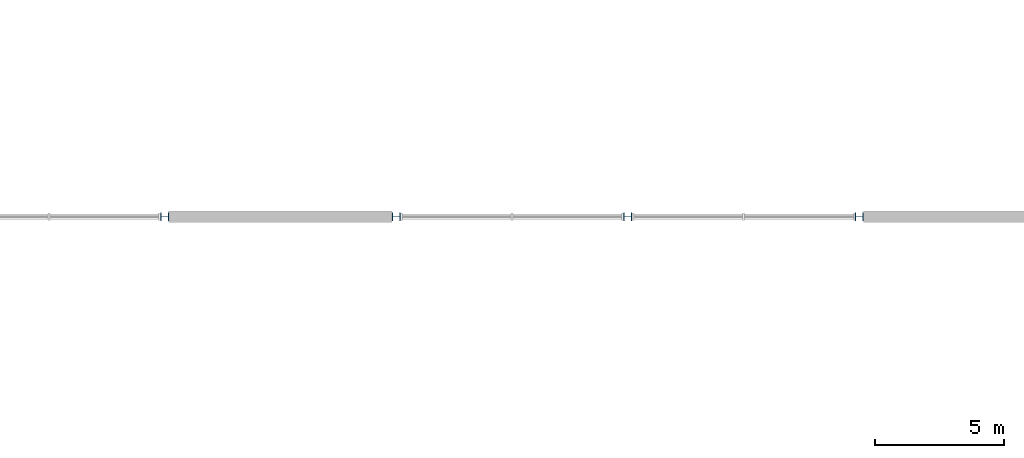
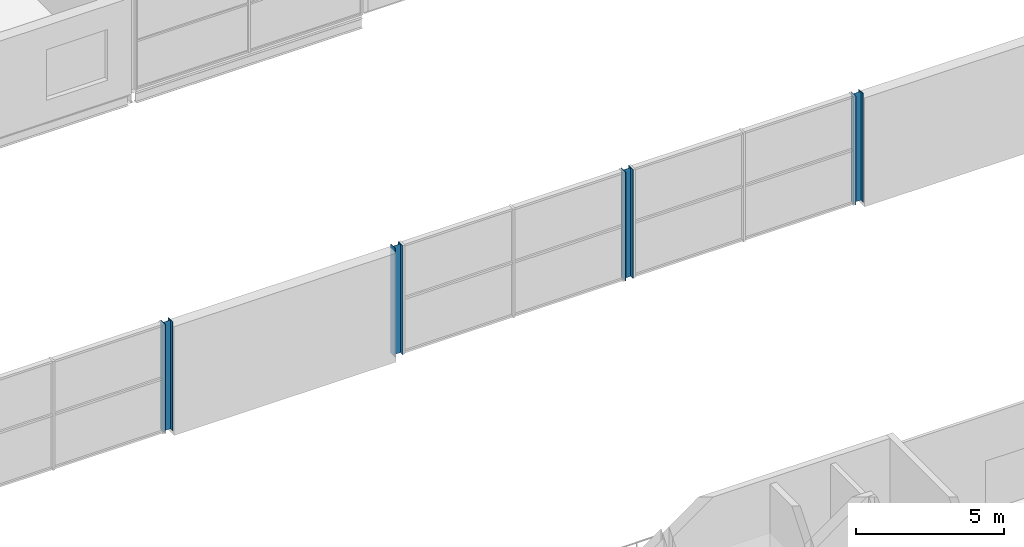
# One storey, part 4 of 97: 4 columns.
"""IFC4 building model written with IfcOpenShell, lengths in metres."""

from ifc_helpers import new_model, si_unit, direction, frame, origin, origin_2d, place, context, subcontext, project, spatial, i_section, extrude, material, material_profile, profile_set, type_object, element, save


model = new_model("IFC4")

# Units and contexts
model_context = context("Model", 3, precision=1e-05, world=origin(), true_north=direction((0.0, 1.0)))
body_context = subcontext(model_context, "Body", "Model", "MODEL_VIEW")
ifc_project = project(units=[si_unit("LENGTHUNIT", "METRE"), si_unit("AREAUNIT", "SQUARE_METRE"), si_unit("VOLUMEUNIT", "CUBIC_METRE"), si_unit("PLANEANGLEUNIT", "RADIAN"), si_unit("MASSUNIT", "GRAM", prefix="KILO")], contexts=[model_context])

# Site, building, storey
site_placement = place(None, origin())
site = spatial("IfcSite", under=ifc_project, at=site_placement, CompositionType="ELEMENT")
building_placement = place(site_placement, origin())
building = spatial("IfcBuilding", under=site, at=building_placement, Name="Corbel Yard City Hall", CompositionType="ELEMENT")
storey_placement = place(building_placement, frame((0.0, 0.0, 6.0)))
storey = spatial("IfcBuildingStorey", under=building, at=storey_placement, Name="L01", CompositionType="ELEMENT", Elevation=6.0)

# Columns
ifc_material = material(Name="Steel Grade 300 (300 MPa yield)", Category="steel")
ifc_material_profile = material_profile(ifc_material, i_section(OverallWidth=0.306884765625, OverallDepth=0.31494140625, WebThickness=0.011962890625, FlangeThickness=0.018798828125, at=origin_2d()), Name="310UC118")
ifc_profile_set = profile_set([ifc_material_profile], Name="Steel Grade 300 (300 MPa yield)")
column_type = type_object("IfcColumnType", Name="Column 310UC118", PredefinedType="COLUMN", material=ifc_profile_set)
for number, where, z_axis, x_axis, name in (
    (1, (36.0, 27.0, 0.0), (0.0, 0.0, 1.0), (0.0, 1.0, 0.0), "Column 310UC118 D/5 L01"),
    (2, (45.0, 27.0, 0.0), (0.0, 0.0, 1.0), (0.0, 1.0, 0.0), "Column 310UC118 D/6 L01"),
    (3, (54.0, 27.0, 0.0), (0.0, 0.0, 1.0), (0.0, 1.0, 0.0), "Column 310UC118 D/7 L01"),
    (4, (63.0, 27.0, 0.0), (0.0, 0.0, 1.0), (0.0, 1.0, 0.0), "Column 310UC118 D/8 L01"),
):
    element("IfcColumn", number, at=place(storey_placement, frame(where, z_axis=z_axis, x_axis=x_axis)), inside=storey, type_object=column_type, Name=name, PredefinedType="COLUMN", context=body_context, shape_type="SweptSolid", body=[
        extrude(i_section(OverallWidth=0.306884765625, OverallDepth=0.31494140625, WebThickness=0.011962890625, FlangeThickness=0.018798828125, at=origin_2d()), origin(), (0.0, 0.0, 1.0), 4.5),
    ])

save(model, "model.ifc")
